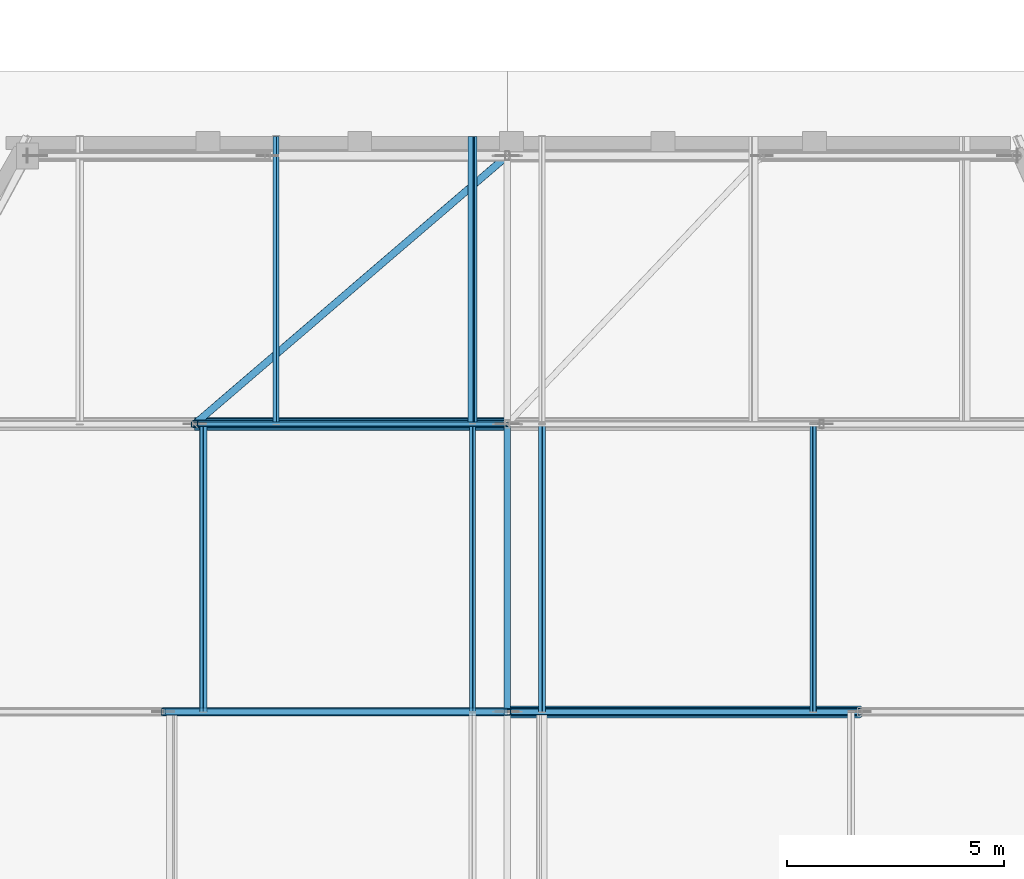
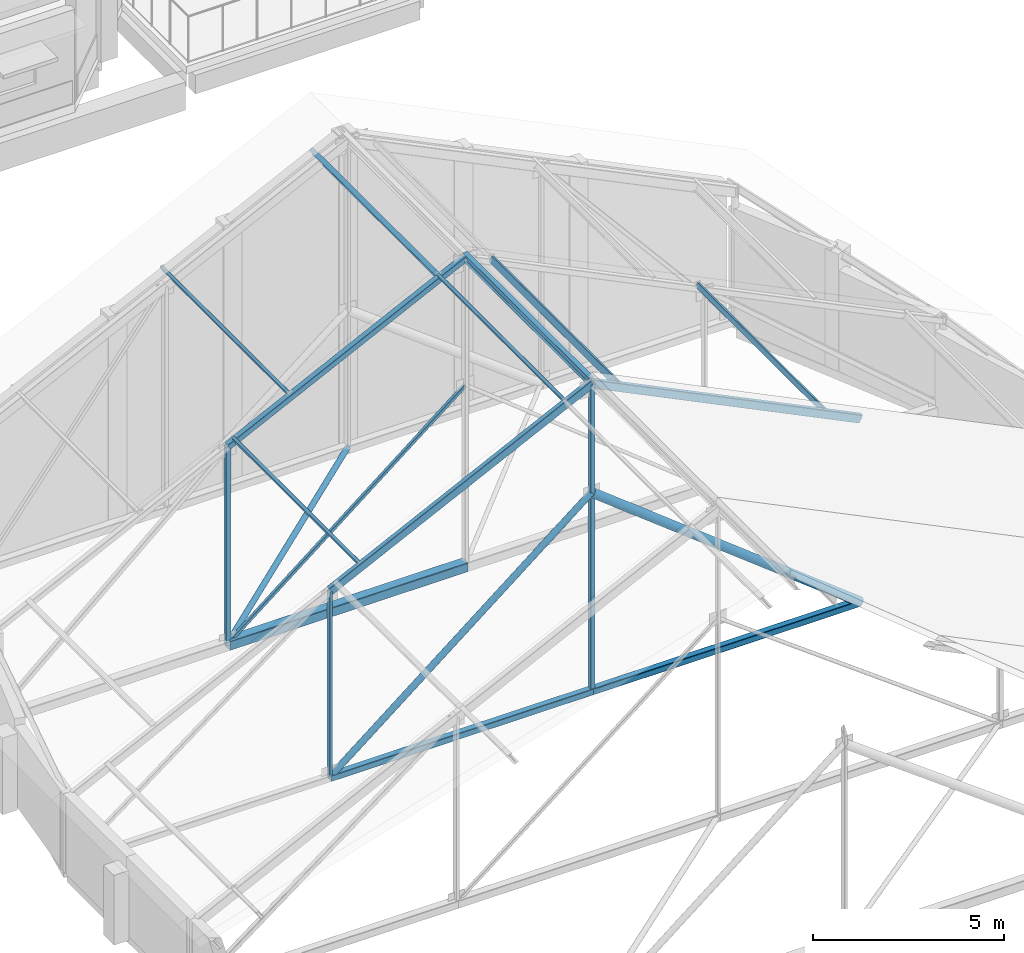
# One storey, part 33 of 78: 20 members.
"""IFC4 building model written with IfcOpenShell, lengths in metres."""

from ifc_helpers import new_model, si_unit, direction, frame, origin, origin_2d, place, context, subcontext, project, spatial, hollow_rectangle, hollow_circle, i_section, extrude, material, material_profile, profile_set, type_object, element, save


model = new_model("IFC4")

# Units and contexts
model_context = context("Model", 3, precision=1e-05, world=origin(), true_north=direction((0.0, 1.0)))
body_context = subcontext(model_context, "Body", "Model", "MODEL_VIEW")
ifc_project = project(units=[si_unit("LENGTHUNIT", "METRE"), si_unit("AREAUNIT", "SQUARE_METRE"), si_unit("VOLUMEUNIT", "CUBIC_METRE"), si_unit("PLANEANGLEUNIT", "RADIAN"), si_unit("MASSUNIT", "GRAM", prefix="KILO")], contexts=[model_context])

# Site, building, storey
site_placement = place(None, origin())
site = spatial("IfcSite", under=ifc_project, at=site_placement, CompositionType="ELEMENT")
building_placement = place(site_placement, origin())
building = spatial("IfcBuilding", under=site, at=building_placement, Name="Kelanivale Promenade Academy", CompositionType="ELEMENT")
storey_placement = place(building_placement, frame((0.0, 0.0, 16.199951171875)))
storey = spatial("IfcBuildingStorey", under=building, at=storey_placement, Name="L04", CompositionType="ELEMENT", Elevation=16.199951171875)

# Members
ifc_material = material(Name="Steel S355", Category="steel")
ifc_material_profile_1 = material_profile(ifc_material, i_section(OverallWidth=0.13330078125, OverallDepth=0.203125, WebThickness=0.005615234375, FlangeThickness=0.0078125, FilletRadius=0.007568359375, at=origin_2d()), Name="UB 203x133x25")
ifc_profile_set_1 = profile_set([ifc_material_profile_1], Name="Steel S355")
member_type_1 = type_object("IfcMemberType", Name="PR-01 UB 203x133x25", PredefinedType="PURLIN", material=ifc_profile_set_1)
member_1_placement = place(storey_placement, frame((138.39990234375, 72.77099609375, 9.713134765625), z_axis=(0.0, 1.0, 0.0), x_axis=(-0.898564392509, 0.0, -0.438841694139)))
element("IfcMember", 1, at=member_1_placement, inside=storey, type_object=member_type_1, Name="Assembly Hall Arc Pavilion roof purlin PR-01", PredefinedType="PURLIN", context=body_context, shape_type="SweptSolid", body=[
    extrude(i_section(OverallWidth=0.13330078125, OverallDepth=0.203125, WebThickness=0.005615234375, FlangeThickness=0.0078125, FilletRadius=0.007568359375, at=origin_2d()), origin(), (0.0, 0.0, 1.0), 6.62890625),
])
ifc_material_profile_2 = material_profile(ifc_material, i_section(OverallWidth=0.14599609375, OverallDepth=0.25146484375, WebThickness=0.006103515625, FlangeThickness=0.008544921875, FilletRadius=0.007568359375, at=origin_2d()), Name="UB 254x146x31")
ifc_profile_set_2 = profile_set([ifc_material_profile_2], Name="Steel S355")
member_type_2 = type_object("IfcMemberType", Name="PR-02 UB 254x146x31", PredefinedType="PURLIN", material=ifc_profile_set_2)
member_2_placement = place(storey_placement, frame((139.199951171875, 66.14306640625, 10.087158203125), z_axis=(0.0, 1.0, 0.0), x_axis=(-1.0, 0.0, 0.0)))
element("IfcMember", 2, at=member_2_placement, inside=storey, type_object=member_type_2, Name="Assembly Hall Arc Pavilion roof tie purlin PR-02", PredefinedType="PURLIN", context=body_context, shape_type="SweptSolid", body=[
    extrude(i_section(OverallWidth=0.14599609375, OverallDepth=0.25146484375, WebThickness=0.006103515625, FlangeThickness=0.008544921875, FilletRadius=0.007568359375, at=origin_2d()), origin(), (0.0, 0.0, 1.0), 6.6279296875),
])
ifc_material_profile_3 = material_profile(ifc_material, hollow_rectangle(XDim=0.10009765625, YDim=0.199951171875, WallThickness=0.008056640625, InnerFilletRadius=0.008056640625, OuterFilletRadius=0.01611328125, at=origin_2d()), Name="RHS 200x100x8.0")
ifc_profile_set_3 = profile_set([ifc_material_profile_3], Name="Steel S355")
member_type_3 = type_object("IfcMemberType", Name="PR-03 RHS 200x100x8.0", PredefinedType="PURLIN", material=ifc_profile_set_3)
for number, where, z_axis, x_axis, name in (
    (3, (132.199951171875, 66.14306640625, 6.68701171875), (0.0, 1.0, 0.0), (-0.898564392509, 0.0, -0.438841694139), "Assembly Hall Arc Pavilion roof purlin PR-03"),
    (4, (140.0, 66.14306640625, 9.715087890625), (0.0, 1.0, 0.0), (-0.898564392509, 0.0, 0.438841694139), "Assembly Hall Arc Pavilion roof purlin PR-03"),
):
    element("IfcMember", number, at=place(storey_placement, frame(where, z_axis=z_axis, x_axis=x_axis)), inside=storey, type_object=member_type_3, Name=name, PredefinedType="PURLIN", context=body_context, shape_type="SweptSolid", body=[
        extrude(hollow_rectangle(XDim=0.10009765625, YDim=0.199951171875, WallThickness=0.008056640625, InnerFilletRadius=0.008056640625, OuterFilletRadius=0.01611328125, at=origin_2d()), origin(), (0.0, 0.0, 1.0), 6.6279296875),
    ])
ifc_material_profile_4 = material_profile(ifc_material, hollow_rectangle(XDim=0.10009765625, YDim=0.14990234375, WallThickness=0.008056640625, InnerFilletRadius=0.008056640625, OuterFilletRadius=0.01611328125, at=origin_2d()), Name="RHS 150x100x8.0")
ifc_profile_set_4 = profile_set([ifc_material_profile_4], Name="Steel S355")
member_type_4 = type_object("IfcMemberType", Name="PR-04 RHS 150x100x8.0", PredefinedType="PURLIN", material=ifc_profile_set_4)
for number, where, z_axis, x_axis, name in (
    (5, (138.39990234375, 66.14306640625, 9.7431640625), (0.0, 1.0, 0.0), (-0.898564392509, 0.0, -0.438841694139), "Assembly Hall Arc Pavilion roof purlin PR-04"),
    (6, (146.2451171875, 66.14306640625, 6.693115234375), (0.0, 1.0, 0.0), (-0.898564392509, 0.0, 0.438841694139), "Assembly Hall Arc Pavilion roof purlin PR-04"),
):
    element("IfcMember", number, at=place(storey_placement, frame(where, z_axis=z_axis, x_axis=x_axis)), inside=storey, type_object=member_type_4, Name=name, PredefinedType="PURLIN", context=body_context, shape_type="SweptSolid", body=[
        extrude(hollow_rectangle(XDim=0.10009765625, YDim=0.14990234375, WallThickness=0.008056640625, InnerFilletRadius=0.008056640625, OuterFilletRadius=0.01611328125, at=origin_2d()), origin(), (0.0, 0.0, 1.0), 6.6279296875),
    ])
member_3_placement = place(storey_placement, frame((133.875, 72.77099609375, 7.532958984375), z_axis=(0.0, 1.0, 0.0), x_axis=(-0.898564392509, 0.0, -0.438841694139)))
element("IfcMember", 7, at=member_3_placement, inside=storey, type_object=member_type_4, Name="Assembly Hall Arc Pavilion roof purlin PR-04", PredefinedType="PURLIN", context=body_context, shape_type="SweptSolid", body=[
    extrude(hollow_rectangle(XDim=0.10009765625, YDim=0.14990234375, WallThickness=0.008056640625, InnerFilletRadius=0.008056640625, OuterFilletRadius=0.01611328125, at=origin_2d()), origin(), (0.0, 0.0, 1.0), 6.62890625),
])
ifc_material_profile_5 = material_profile(ifc_material, hollow_rectangle(XDim=0.300048828125, YDim=0.300048828125, WallThickness=0.01611328125, InnerFilletRadius=0.01611328125, OuterFilletRadius=0.031982421875, at=origin_2d()), Name="SHS 300x300x16.0")
ifc_profile_set_5 = profile_set([ifc_material_profile_5], Name="Steel S355")
member_type_5 = type_object("IfcMemberType", Name="TC-01 SHS 300x300x16.0", PredefinedType="CHORD", material=ifc_profile_set_5)
member_4_placement = place(storey_placement, frame((132.0, 72.77099609375, 0.199951171875), z_axis=(1.0, 0.0, 0.0), x_axis=(0.0, 1.0, 0.0)))
element("IfcMember", 8, at=member_4_placement, inside=storey, type_object=member_type_5, Name="ROOF TRUSS AH-TR7 bottom chord 2", PredefinedType="CHORD", context=body_context, shape_type="SweptSolid", body=[
    extrude(hollow_rectangle(XDim=0.300048828125, YDim=0.300048828125, WallThickness=0.01611328125, InnerFilletRadius=0.01611328125, OuterFilletRadius=0.031982421875, at=origin_2d()), origin(), (0.0, 0.0, 1.0), 7.199951171875),
])
ifc_material_profile_6 = material_profile(ifc_material, hollow_rectangle(XDim=0.199951171875, YDim=0.199951171875, WallThickness=0.012451171875, InnerFilletRadius=0.012451171875, OuterFilletRadius=0.02490234375, at=origin_2d()), Name="SHS 200x200x12.5")
ifc_profile_set_6 = profile_set([ifc_material_profile_6], Name="Steel S355")
member_type_6 = type_object("IfcMemberType", Name="TC-03 SHS 200x200x12.5", PredefinedType="CHORD", material=ifc_profile_set_6)
member_5_placement = place(storey_placement, frame((131.27490234375, 66.14306640625, 0.199951171875), z_axis=(1.0, 0.0, 0.0), x_axis=(0.0, 1.0, 0.0)))
element("IfcMember", 9, at=member_5_placement, inside=storey, type_object=member_type_6, Name="ROOF TRUSS AH-TR6 bottom chord 2", PredefinedType="CHORD", context=body_context, shape_type="SweptSolid", body=[
    extrude(hollow_rectangle(XDim=0.199951171875, YDim=0.199951171875, WallThickness=0.012451171875, InnerFilletRadius=0.012451171875, OuterFilletRadius=0.02490234375, at=origin_2d()), origin(), (0.0, 0.0, 1.0), 7.925048828125),
])
member_6_placement = place(storey_placement, frame((139.199951171875, 66.14306640625, 0.199951171875), z_axis=(1.0, 0.0, 0.0), x_axis=(0.0, 1.0, 0.0)))
element("IfcMember", 10, at=member_6_placement, inside=storey, type_object=member_type_6, Name="ROOF TRUSS AH-TR6 bottom chord 3", PredefinedType="CHORD", context=body_context, shape_type="SweptSolid", body=[
    extrude(hollow_rectangle(XDim=0.199951171875, YDim=0.199951171875, WallThickness=0.012451171875, InnerFilletRadius=0.012451171875, OuterFilletRadius=0.02490234375, at=origin_2d()), origin(), (0.0, 0.0, 1.0), 8.1201171875),
])
ifc_material_profile_7 = material_profile(ifc_material, hollow_rectangle(XDim=0.179931640625, YDim=0.179931640625, WallThickness=0.010009765625, InnerFilletRadius=0.010009765625, OuterFilletRadius=0.02001953125, at=origin_2d()), Name="SHS 180x180x10.0")
ifc_profile_set_7 = profile_set([ifc_material_profile_7], Name="Steel S355")
member_type_7 = type_object("IfcMemberType", Name="TC-04 SHS 180x180x10.0", PredefinedType="CHORD", material=ifc_profile_set_7)
member_7_placement = place(storey_placement, frame((132.0, 72.77099609375, 6.526123046875), z_axis=(0.898586515561, 0.0, 0.438796392479), x_axis=(0.0, 1.0, 0.0)))
element("IfcMember", 11, at=member_7_placement, inside=storey, type_object=member_type_7, Name="ROOF TRUSS AH-TR7 top chord 2", PredefinedType="CHORD", context=body_context, shape_type="SweptSolid", body=[
    extrude(hollow_rectangle(XDim=0.179931640625, YDim=0.179931640625, WallThickness=0.010009765625, InnerFilletRadius=0.010009765625, OuterFilletRadius=0.02001953125, at=origin_2d()), origin(), (0.0, 0.0, 1.0), 8.012451171875),
])
ifc_material_profile_8 = material_profile(ifc_material, hollow_rectangle(XDim=0.14990234375, YDim=0.25, WallThickness=0.010009765625, InnerFilletRadius=0.010009765625, OuterFilletRadius=0.02001953125, at=origin_2d()), Name="RHS 250x150x10.0")
ifc_profile_set_8 = profile_set([ifc_material_profile_8], Name="Steel S355")
member_type_8 = type_object("IfcMemberType", Name="TC-06 RHS 250x150x10.0", PredefinedType="CHORD", material=ifc_profile_set_8)
member_8_placement = place(storey_placement, frame((131.27490234375, 66.14306640625, 6.172119140625), z_axis=(0.898589853944, 0.0, 0.438789555925), x_axis=(0.0, 1.0, 0.0)))
element("IfcMember", 12, at=member_8_placement, inside=storey, type_object=member_type_8, Name="ROOF TRUSS AH-TR6 top chord 2", PredefinedType="CHORD", context=body_context, shape_type="SweptSolid", body=[
    extrude(hollow_rectangle(XDim=0.14990234375, YDim=0.25, WallThickness=0.010009765625, InnerFilletRadius=0.010009765625, OuterFilletRadius=0.02001953125, at=origin_2d()), origin(), (0.0, 0.0, 1.0), 8.8193359375),
])
member_9_placement = place(storey_placement, frame((139.199951171875, 66.14306640625, 10.0419921875), z_axis=(0.898548934374, 0.0, -0.438873344525), x_axis=(0.0, 1.0, 0.0)))
element("IfcMember", 13, at=member_9_placement, inside=storey, type_object=member_type_8, Name="ROOF TRUSS AH-TR6 top chord 3", PredefinedType="CHORD", context=body_context, shape_type="SweptSolid", body=[
    extrude(hollow_rectangle(XDim=0.14990234375, YDim=0.25, WallThickness=0.010009765625, InnerFilletRadius=0.010009765625, OuterFilletRadius=0.02001953125, at=origin_2d()), origin(), (0.0, 0.0, 1.0), 9.036865234375),
])
ifc_material_profile_9 = material_profile(ifc_material, hollow_rectangle(XDim=0.10009765625, YDim=0.10009765625, WallThickness=0.00634765625, InnerFilletRadius=0.00634765625, OuterFilletRadius=0.0126953125, at=origin_2d()), Name="SHS 100x100x6.3")
ifc_profile_set_9 = profile_set([ifc_material_profile_9], Name="Steel S355")
member_type_9 = type_object("IfcMemberType", Name="TD-03 SHS 100x100x6.3", PredefinedType="BRACE", material=ifc_profile_set_9)
member_10_placement = place(storey_placement, frame((132.0, 72.77099609375, 0.199951171875), z_axis=(0.780866226205, 0.0, 0.624698276588), x_axis=(0.0, 1.0, 0.0)))
element("IfcMember", 14, at=member_10_placement, inside=storey, type_object=member_type_9, Name="ROOF TRUSS AH-TR7 web diagonal 2", PredefinedType="BRACE", context=body_context, shape_type="SweptSolid", body=[
    extrude(hollow_rectangle(XDim=0.10009765625, YDim=0.10009765625, WallThickness=0.00634765625, InnerFilletRadius=0.00634765625, OuterFilletRadius=0.0126953125, at=origin_2d()), origin(), (0.0, 0.0, 1.0), 9.220458984375),
])
ifc_material_profile_10 = material_profile(ifc_material, hollow_circle(Radius=0.084228515625, WallThickness=0.008056640625, at=origin_2d()), Name="CHS 168.3x8.0")
ifc_profile_set_10 = profile_set([ifc_material_profile_10], Name="Steel S355")
member_type_10 = type_object("IfcMemberType", Name="TD-04 CHS 168.3x8.0", PredefinedType="BRACE", material=ifc_profile_set_10)
member_11_placement = place(storey_placement, frame((132.0, 72.77099609375, 0.199951171875), z_axis=(0.758862309471, 0.65125110001, 0.0), x_axis=(-0.65125110001, 0.758862309471, 0.0)))
element("IfcMember", 15, at=member_11_placement, inside=storey, type_object=member_type_10, Name="Assembly Hall Arc Pavilion roof wind brace TD-04", PredefinedType="BRACE", context=body_context, shape_type="SweptSolid", body=[
    extrude(hollow_circle(Radius=0.084228515625, WallThickness=0.008056640625, at=origin_2d()), origin(), (0.0, 0.0, 1.0), 9.48779296875),
])
ifc_material_profile_11 = material_profile(ifc_material, hollow_circle(Radius=0.096923828125, WallThickness=0.010009765625, at=origin_2d()), Name="CHS 193.7x10.0")
ifc_profile_set_11 = profile_set([ifc_material_profile_11], Name="Steel S355")
member_type_11 = type_object("IfcMemberType", Name="TD-07 CHS 193.7x10.0", PredefinedType="BRACE", material=ifc_profile_set_11)
member_12_placement = place(storey_placement, frame((131.27490234375, 66.14306640625, 0.199951171875), z_axis=(0.780866462557, 0.0, 0.624697981151), x_axis=(0.0, 1.0, 0.0)))
element("IfcMember", 16, at=member_12_placement, inside=storey, type_object=member_type_11, Name="ROOF TRUSS AH-TR6 web diagonal 2", PredefinedType="BRACE", context=body_context, shape_type="SweptSolid", body=[
    extrude(hollow_circle(Radius=0.096923828125, WallThickness=0.010009765625, at=origin_2d()), origin(), (0.0, 0.0, 1.0), 10.14892578125),
])
ifc_material_profile_12 = material_profile(ifc_material, hollow_circle(Radius=0.136474609375, WallThickness=0.012451171875, at=origin_2d()), Name="CHS 273.0x12.5")
ifc_profile_set_12 = profile_set([ifc_material_profile_12], Name="Steel S355")
member_type_12 = type_object("IfcMemberType", Name="TD-08 CHS 273.0x12.5", PredefinedType="BRACE", material=ifc_profile_set_12)
member_13_placement = place(storey_placement, frame((147.320068359375, 66.14306640625, 0.199951171875), z_axis=(-0.788201107453, 0.0, 0.615417755846), x_axis=(0.0, -1.0, 0.0)))
element("IfcMember", 17, at=member_13_placement, inside=storey, type_object=member_type_12, Name="ROOF TRUSS AH-TR6 web diagonal 3", PredefinedType="BRACE", context=body_context, shape_type="SweptSolid", body=[
    extrude(hollow_circle(Radius=0.136474609375, WallThickness=0.012451171875, at=origin_2d()), origin(), (0.0, 0.0, 1.0), 10.302001953125),
])
ifc_material_profile_13 = material_profile(ifc_material, hollow_rectangle(XDim=0.10009765625, YDim=0.14990234375, WallThickness=0.008056640625, InnerFilletRadius=0.008056640625, OuterFilletRadius=0.01611328125, at=origin_2d()), Name="RHS 150x100x8.0")
ifc_profile_set_13 = profile_set([ifc_material_profile_13], Name="Steel S355")
member_type_13 = type_object("IfcMemberType", Name="TV-03 RHS 150x100x8.0", PredefinedType="STRUT", material=ifc_profile_set_13)
member_14_placement = place(storey_placement, frame((131.27490234375, 66.14306640625, 0.199951171875), z_axis=(0.0, 0.0, 1.0), x_axis=(1.0, 0.0, 0.0)))
element("IfcMember", 18, at=member_14_placement, inside=storey, type_object=member_type_13, Name="ROOF TRUSS AH-TR6 vertical strut 1", PredefinedType="STRUT", context=body_context, shape_type="SweptSolid", body=[
    extrude(hollow_rectangle(XDim=0.10009765625, YDim=0.14990234375, WallThickness=0.008056640625, InnerFilletRadius=0.008056640625, OuterFilletRadius=0.01611328125, at=origin_2d()), origin(), (0.0, 0.0, 1.0), 5.97216796875),
])
ifc_material_profile_14 = material_profile(ifc_material, hollow_rectangle(XDim=0.14990234375, YDim=0.14990234375, WallThickness=0.010009765625, InnerFilletRadius=0.010009765625, OuterFilletRadius=0.02001953125, at=origin_2d()), Name="SHS 150x150x10.0")
ifc_profile_set_14 = profile_set([ifc_material_profile_14], Name="Steel S355")
member_type_14 = type_object("IfcMemberType", Name="TV-04 SHS 150x150x10.0", PredefinedType="STRUT", material=ifc_profile_set_14)
member_15_placement = place(storey_placement, frame((139.199951171875, 66.14306640625, 0.199951171875), z_axis=(0.0, 0.0, 1.0), x_axis=(1.0, 0.0, 0.0)))
element("IfcMember", 19, at=member_15_placement, inside=storey, type_object=member_type_14, Name="ROOF TRUSS AH-TR6 vertical strut 2", PredefinedType="STRUT", context=body_context, shape_type="SweptSolid", body=[
    extrude(hollow_rectangle(XDim=0.14990234375, YDim=0.14990234375, WallThickness=0.010009765625, InnerFilletRadius=0.010009765625, OuterFilletRadius=0.02001953125, at=origin_2d()), origin(), (0.0, 0.0, 1.0), 9.842041015625),
])
member_16_placement = place(storey_placement, frame((132.0, 72.77099609375, 0.199951171875), z_axis=(0.0, 0.0, 1.0), x_axis=(1.0, 0.0, 0.0)))
element("IfcMember", 20, at=member_16_placement, inside=storey, type_object=member_type_14, Name="ROOF TRUSS AH-TR7 vertical strut 1", PredefinedType="STRUT", context=body_context, shape_type="SweptSolid", body=[
    extrude(hollow_rectangle(XDim=0.14990234375, YDim=0.14990234375, WallThickness=0.010009765625, InnerFilletRadius=0.010009765625, OuterFilletRadius=0.02001953125, at=origin_2d()), origin(), (0.0, 0.0, 1.0), 6.326171875),
])

save(model, "model.ifc")
